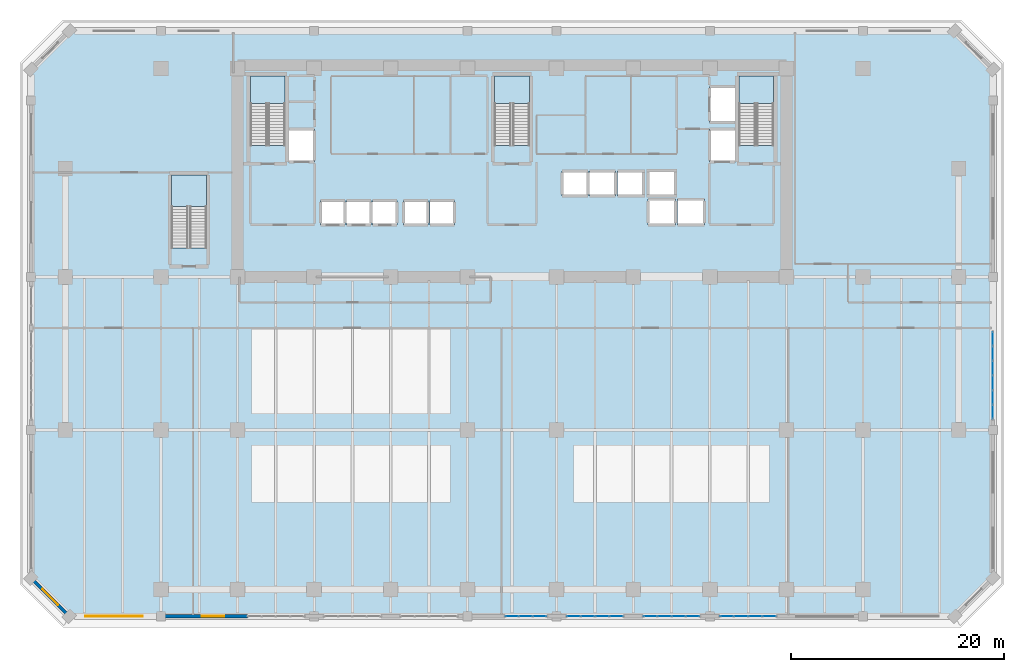
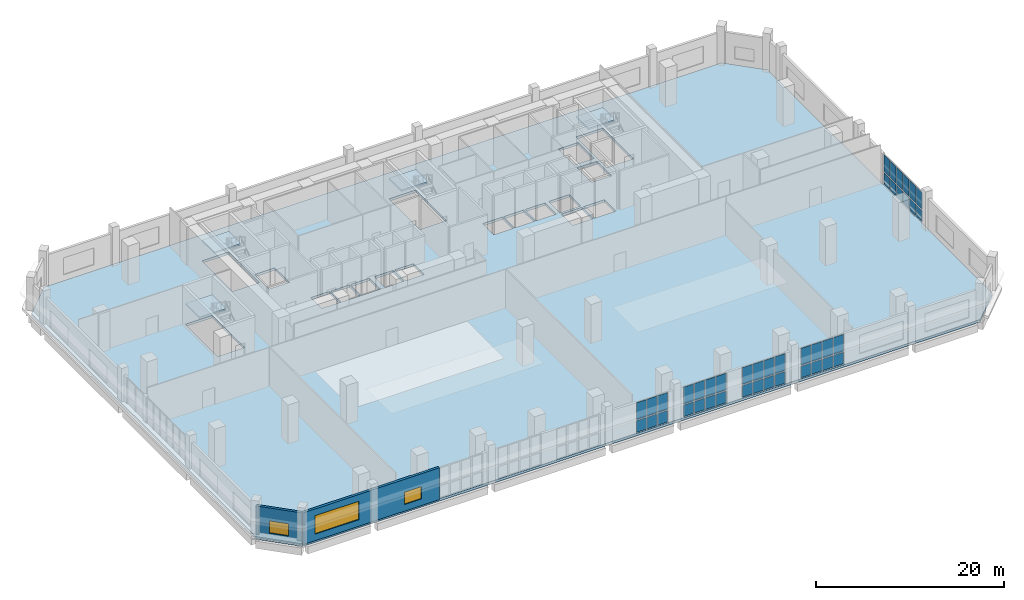
# One storey, part 17 of 25: 42 plates, 5 slabs, 3 windows, 2 walls, 3 openings, 9 elements without a shape of their own.
"""IFC4 building model written with IfcOpenShell, lengths in metres."""

from ifc_helpers import new_model, si_unit, direction, frame, frame_2d, origin, origin_2d, place, context, subcontext, project, spatial, polyline, rectangle, outline, extrude, material, layer, layer_set, type_object, element, fill, aggregate, save


model = new_model("IFC4")

# Units and contexts
model_context = context("Model", 3, precision=1e-05, world=origin(), true_north=direction((0.0, 1.0)))
body_context = subcontext(model_context, "Body", "Model", "MODEL_VIEW")
ifc_project = project(units=[si_unit("LENGTHUNIT", "METRE"), si_unit("AREAUNIT", "SQUARE_METRE"), si_unit("VOLUMEUNIT", "CUBIC_METRE"), si_unit("PLANEANGLEUNIT", "RADIAN"), si_unit("MASSUNIT", "GRAM", prefix="KILO")], contexts=[model_context])

# Site, building, storey
site_placement = place(None, origin())
site = spatial("IfcSite", under=ifc_project, at=site_placement, CompositionType="ELEMENT")
building_placement = place(site_placement, origin())
building = spatial("IfcBuilding", under=site, at=building_placement, Name="Kaelvorn Grand Hotel", CompositionType="ELEMENT")
storey_placement = place(building_placement, frame((0.0, 0.0, 14.0)))
storey = spatial("IfcBuildingStorey", under=building, at=storey_placement, Name="L02", CompositionType="ELEMENT", Elevation=14.0)

# Curtain wall, plates
ifc_material_1 = material(Name="Anodised Aluminium", Category="aluminium")
ifc_layer_1 = layer(ifc_material_1, 0.199951171875)
ifc_layer_set_1 = layer_set([ifc_layer_1], Name="Anodised Aluminium")
curtain_wall_type = type_object("IfcCurtainWallType", Name="CW-SYS2", PredefinedType="NOTDEFINED", material=ifc_layer_set_1)
curtain_wall_1_placement = place(storey_placement, origin())
curtain_wall_1 = element("IfcCurtainWall", 1, at=curtain_wall_1_placement, inside=storey, type_object=curtain_wall_type, Name="L02 Unitised Curtain Wall CW2 (CW-L02-S-04)", PredefinedType="NOTDEFINED")
ifc_material_2 = material(Name="Laminated Low-E Glass", Category="glass")
ifc_layer_2 = layer(ifc_material_2, 0.031982421875)
ifc_layer_set_2 = layer_set([ifc_layer_2], Name="Laminated Low-E Glass")
plate_type = type_object("IfcPlateType", Name="CW-SYS2-PAN", PredefinedType="CURTAIN_PANEL", material=ifc_layer_set_2)
plate_1_placement = place(storey_placement, frame((41.998779296875, -2.5, 0.14990234375), z_axis=(0.0, 0.0, 1.0), x_axis=(1.0, 0.0, 0.0)))
plate_1 = element("IfcPlate", 2, at=plate_1_placement, type_object=plate_type, Name="CW2 panel 1.1", PredefinedType="CURTAIN_PANEL", context=body_context, shape_type="SweptSolid", body=[
    extrude(rectangle(XDim=1.20751953125, YDim=0.031982421875, at=origin_2d()), origin(), (0.0, 0.0, 1.0), 1.509521484375),
])
plate_2_placement = place(storey_placement, frame((41.998779296875, -2.5, 1.8095703125), z_axis=(0.0, 0.0, 1.0), x_axis=(1.0, 0.0, 0.0)))
plate_2 = element("IfcPlate", 3, at=plate_2_placement, type_object=plate_type, Name="CW2 panel 1.2", PredefinedType="CURTAIN_PANEL", context=body_context, shape_type="SweptSolid", body=[
    extrude(rectangle(XDim=1.20751953125, YDim=0.031982421875, at=origin_2d()), origin(), (0.0, 0.0, 1.0), 2.17041015625),
])
plate_3_placement = place(storey_placement, frame((43.300048828125, -2.5, 0.14990234375), z_axis=(0.0, 0.0, 1.0), x_axis=(1.0, 0.0, 0.0)))
plate_3 = element("IfcPlate", 4, at=plate_3_placement, type_object=plate_type, Name="CW2 panel 2.1", PredefinedType="CURTAIN_PANEL", context=body_context, shape_type="SweptSolid", body=[
    extrude(rectangle(XDim=1.2451171875, YDim=0.031982421875, at=origin_2d()), origin(), (0.0, 0.0, 1.0), 1.509521484375),
])
plate_4_placement = place(storey_placement, frame((43.300048828125, -2.5, 1.8095703125), z_axis=(0.0, 0.0, 1.0), x_axis=(1.0, 0.0, 0.0)))
plate_4 = element("IfcPlate", 5, at=plate_4_placement, type_object=plate_type, Name="CW2 panel 2.2", PredefinedType="CURTAIN_PANEL", context=body_context, shape_type="SweptSolid", body=[
    extrude(rectangle(XDim=1.2451171875, YDim=0.031982421875, at=origin_2d()), origin(), (0.0, 0.0, 1.0), 2.17041015625),
])
plate_5_placement = place(storey_placement, frame((44.601318359375, -2.5, 0.14990234375), z_axis=(0.0, 0.0, 1.0), x_axis=(1.0, 0.0, 0.0)))
plate_5 = element("IfcPlate", 6, at=plate_5_placement, type_object=plate_type, Name="CW2 panel 3.1", PredefinedType="CURTAIN_PANEL", context=body_context, shape_type="SweptSolid", body=[
    extrude(rectangle(XDim=1.20751953125, YDim=0.031982421875, at=origin_2d()), origin(), (0.0, 0.0, 1.0), 1.509521484375),
])
plate_6_placement = place(storey_placement, frame((44.601318359375, -2.5, 1.8095703125), z_axis=(0.0, 0.0, 1.0), x_axis=(1.0, 0.0, 0.0)))
plate_6 = element("IfcPlate", 7, at=plate_6_placement, type_object=plate_type, Name="CW2 panel 3.2", PredefinedType="CURTAIN_PANEL", context=body_context, shape_type="SweptSolid", body=[
    extrude(rectangle(XDim=1.20751953125, YDim=0.031982421875, at=origin_2d()), origin(), (0.0, 0.0, 1.0), 2.17041015625),
])
aggregate(curtain_wall_1, [plate_1, plate_2, plate_3, plate_4, plate_5, plate_6])

curtain_wall_2_placement = place(storey_placement, origin())
curtain_wall_2 = element("IfcCurtainWall", 8, at=curtain_wall_2_placement, inside=storey, type_object=curtain_wall_type, Name="L02 Unitised Curtain Wall CW2 (CW-L02-S-05)", PredefinedType="NOTDEFINED")
plate_7_placement = place(storey_placement, frame((47.808837890625, -2.5, 0.14990234375), z_axis=(0.0, 0.0, 1.0), x_axis=(1.0, 0.0, 0.0)))
plate_7 = element("IfcPlate", 9, at=plate_7_placement, type_object=plate_type, Name="CW2 panel 1.1", PredefinedType="CURTAIN_PANEL", context=body_context, shape_type="SweptSolid", body=[
    extrude(rectangle(XDim=1.2275390625, YDim=0.031982421875, at=origin_2d()), origin(), (0.0, 0.0, 1.0), 1.509521484375),
])
plate_8_placement = place(storey_placement, frame((47.808837890625, -2.5, 1.8095703125), z_axis=(0.0, 0.0, 1.0), x_axis=(1.0, 0.0, 0.0)))
plate_8 = element("IfcPlate", 10, at=plate_8_placement, type_object=plate_type, Name="CW2 panel 1.2", PredefinedType="CURTAIN_PANEL", context=body_context, shape_type="SweptSolid", body=[
    extrude(rectangle(XDim=1.2275390625, YDim=0.031982421875, at=origin_2d()), origin(), (0.0, 0.0, 1.0), 2.17041015625),
])
plate_9_placement = place(storey_placement, frame((49.1298828125, -2.5, 0.14990234375), z_axis=(0.0, 0.0, 1.0), x_axis=(1.0, 0.0, 0.0)))
plate_9 = element("IfcPlate", 11, at=plate_9_placement, type_object=plate_type, Name="CW2 panel 2.1", PredefinedType="CURTAIN_PANEL", context=body_context, shape_type="SweptSolid", body=[
    extrude(rectangle(XDim=1.264892578125, YDim=0.031982421875, at=origin_2d()), origin(), (0.0, 0.0, 1.0), 1.509521484375),
])
plate_10_placement = place(storey_placement, frame((49.1298828125, -2.5, 1.8095703125), z_axis=(0.0, 0.0, 1.0), x_axis=(1.0, 0.0, 0.0)))
plate_10 = element("IfcPlate", 12, at=plate_10_placement, type_object=plate_type, Name="CW2 panel 2.2", PredefinedType="CURTAIN_PANEL", context=body_context, shape_type="SweptSolid", body=[
    extrude(rectangle(XDim=1.264892578125, YDim=0.031982421875, at=origin_2d()), origin(), (0.0, 0.0, 1.0), 2.17041015625),
])
plate_11_placement = place(storey_placement, frame((50.469970703125, -2.5, 0.14990234375), z_axis=(0.0, 0.0, 1.0), x_axis=(1.0, 0.0, 0.0)))
plate_11 = element("IfcPlate", 13, at=plate_11_placement, type_object=plate_type, Name="CW2 panel 3.1", PredefinedType="CURTAIN_PANEL", context=body_context, shape_type="SweptSolid", body=[
    extrude(rectangle(XDim=1.264892578125, YDim=0.031982421875, at=origin_2d()), origin(), (0.0, 0.0, 1.0), 1.509521484375),
])
plate_12_placement = place(storey_placement, frame((50.469970703125, -2.5, 1.8095703125), z_axis=(0.0, 0.0, 1.0), x_axis=(1.0, 0.0, 0.0)))
plate_12 = element("IfcPlate", 14, at=plate_12_placement, type_object=plate_type, Name="CW2 panel 3.2", PredefinedType="CURTAIN_PANEL", context=body_context, shape_type="SweptSolid", body=[
    extrude(rectangle(XDim=1.264892578125, YDim=0.031982421875, at=origin_2d()), origin(), (0.0, 0.0, 1.0), 2.17041015625),
])
plate_13_placement = place(storey_placement, frame((51.791259765625, -2.5, 0.14990234375), z_axis=(0.0, 0.0, 1.0), x_axis=(1.0, 0.0, 0.0)))
plate_13 = element("IfcPlate", 15, at=plate_13_placement, type_object=plate_type, Name="CW2 panel 4.1", PredefinedType="CURTAIN_PANEL", context=body_context, shape_type="SweptSolid", body=[
    extrude(rectangle(XDim=1.2275390625, YDim=0.031982421875, at=origin_2d()), origin(), (0.0, 0.0, 1.0), 1.509521484375),
])
plate_14_placement = place(storey_placement, frame((51.791259765625, -2.5, 1.8095703125), z_axis=(0.0, 0.0, 1.0), x_axis=(1.0, 0.0, 0.0)))
plate_14 = element("IfcPlate", 16, at=plate_14_placement, type_object=plate_type, Name="CW2 panel 4.2", PredefinedType="CURTAIN_PANEL", context=body_context, shape_type="SweptSolid", body=[
    extrude(rectangle(XDim=1.2275390625, YDim=0.031982421875, at=origin_2d()), origin(), (0.0, 0.0, 1.0), 2.17041015625),
])
aggregate(curtain_wall_2, [plate_7, plate_8, plate_9, plate_10, plate_11, plate_12, plate_13, plate_14])

curtain_wall_3_placement = place(storey_placement, origin())
curtain_wall_3 = element("IfcCurtainWall", 17, at=curtain_wall_3_placement, inside=storey, type_object=curtain_wall_type, Name="L02 Unitised Curtain Wall CW2 (CW-L02-S-06)", PredefinedType="NOTDEFINED")
plate_15_placement = place(storey_placement, frame((55.0087890625, -2.5, 0.14990234375), z_axis=(0.0, 0.0, 1.0), x_axis=(1.0, 0.0, 0.0)))
plate_15 = element("IfcPlate", 18, at=plate_15_placement, type_object=plate_type, Name="CW2 panel 1.1", PredefinedType="CURTAIN_PANEL", context=body_context, shape_type="SweptSolid", body=[
    extrude(rectangle(XDim=1.2275390625, YDim=0.031982421875, at=origin_2d()), origin(), (0.0, 0.0, 1.0), 1.509521484375),
])
plate_16_placement = place(storey_placement, frame((55.0087890625, -2.5, 1.8095703125), z_axis=(0.0, 0.0, 1.0), x_axis=(1.0, 0.0, 0.0)))
plate_16 = element("IfcPlate", 19, at=plate_16_placement, type_object=plate_type, Name="CW2 panel 1.2", PredefinedType="CURTAIN_PANEL", context=body_context, shape_type="SweptSolid", body=[
    extrude(rectangle(XDim=1.2275390625, YDim=0.031982421875, at=origin_2d()), origin(), (0.0, 0.0, 1.0), 2.17041015625),
])
plate_17_placement = place(storey_placement, frame((56.330078125, -2.5, 0.14990234375), z_axis=(0.0, 0.0, 1.0), x_axis=(1.0, 0.0, 0.0)))
plate_17 = element("IfcPlate", 20, at=plate_17_placement, type_object=plate_type, Name="CW2 panel 2.1", PredefinedType="CURTAIN_PANEL", context=body_context, shape_type="SweptSolid", body=[
    extrude(rectangle(XDim=1.264892578125, YDim=0.031982421875, at=origin_2d()), origin(), (0.0, 0.0, 1.0), 1.509521484375),
])
plate_18_placement = place(storey_placement, frame((56.330078125, -2.5, 1.8095703125), z_axis=(0.0, 0.0, 1.0), x_axis=(1.0, 0.0, 0.0)))
plate_18 = element("IfcPlate", 21, at=plate_18_placement, type_object=plate_type, Name="CW2 panel 2.2", PredefinedType="CURTAIN_PANEL", context=body_context, shape_type="SweptSolid", body=[
    extrude(rectangle(XDim=1.264892578125, YDim=0.031982421875, at=origin_2d()), origin(), (0.0, 0.0, 1.0), 2.17041015625),
])
plate_19_placement = place(storey_placement, frame((57.669921875, -2.5, 0.14990234375), z_axis=(0.0, 0.0, 1.0), x_axis=(1.0, 0.0, 0.0)))
plate_19 = element("IfcPlate", 22, at=plate_19_placement, type_object=plate_type, Name="CW2 panel 3.1", PredefinedType="CURTAIN_PANEL", context=body_context, shape_type="SweptSolid", body=[
    extrude(rectangle(XDim=1.264892578125, YDim=0.031982421875, at=origin_2d()), origin(), (0.0, 0.0, 1.0), 1.509521484375),
])
plate_20_placement = place(storey_placement, frame((57.669921875, -2.5, 1.8095703125), z_axis=(0.0, 0.0, 1.0), x_axis=(1.0, 0.0, 0.0)))
plate_20 = element("IfcPlate", 23, at=plate_20_placement, type_object=plate_type, Name="CW2 panel 3.2", PredefinedType="CURTAIN_PANEL", context=body_context, shape_type="SweptSolid", body=[
    extrude(rectangle(XDim=1.264892578125, YDim=0.031982421875, at=origin_2d()), origin(), (0.0, 0.0, 1.0), 2.17041015625),
])
plate_21_placement = place(storey_placement, frame((58.9912109375, -2.5, 0.14990234375), z_axis=(0.0, 0.0, 1.0), x_axis=(1.0, 0.0, 0.0)))
plate_21 = element("IfcPlate", 24, at=plate_21_placement, type_object=plate_type, Name="CW2 panel 4.1", PredefinedType="CURTAIN_PANEL", context=body_context, shape_type="SweptSolid", body=[
    extrude(rectangle(XDim=1.2275390625, YDim=0.031982421875, at=origin_2d()), origin(), (0.0, 0.0, 1.0), 1.509521484375),
])
plate_22_placement = place(storey_placement, frame((58.9912109375, -2.5, 1.8095703125), z_axis=(0.0, 0.0, 1.0), x_axis=(1.0, 0.0, 0.0)))
plate_22 = element("IfcPlate", 25, at=plate_22_placement, type_object=plate_type, Name="CW2 panel 4.2", PredefinedType="CURTAIN_PANEL", context=body_context, shape_type="SweptSolid", body=[
    extrude(rectangle(XDim=1.2275390625, YDim=0.031982421875, at=origin_2d()), origin(), (0.0, 0.0, 1.0), 2.17041015625),
])
aggregate(curtain_wall_3, [plate_15, plate_16, plate_17, plate_18, plate_19, plate_20, plate_21, plate_22])

curtain_wall_4_placement = place(storey_placement, origin())
curtain_wall_4 = element("IfcCurtainWall", 26, at=curtain_wall_4_placement, inside=storey, type_object=curtain_wall_type, Name="L02 Unitised Curtain Wall CW2 (CW-L02-S-07)", PredefinedType="NOTDEFINED")
plate_23_placement = place(storey_placement, frame((62.208740234375, -2.5, 0.14990234375), z_axis=(0.0, 0.0, 1.0), x_axis=(1.0, 0.0, 0.0)))
plate_23 = element("IfcPlate", 27, at=plate_23_placement, type_object=plate_type, Name="CW2 panel 1.1", PredefinedType="CURTAIN_PANEL", context=body_context, shape_type="SweptSolid", body=[
    extrude(rectangle(XDim=1.2275390625, YDim=0.031982421875, at=origin_2d()), origin(), (0.0, 0.0, 1.0), 1.509521484375),
])
plate_24_placement = place(storey_placement, frame((62.208740234375, -2.5, 1.8095703125), z_axis=(0.0, 0.0, 1.0), x_axis=(1.0, 0.0, 0.0)))
plate_24 = element("IfcPlate", 28, at=plate_24_placement, type_object=plate_type, Name="CW2 panel 1.2", PredefinedType="CURTAIN_PANEL", context=body_context, shape_type="SweptSolid", body=[
    extrude(rectangle(XDim=1.2275390625, YDim=0.031982421875, at=origin_2d()), origin(), (0.0, 0.0, 1.0), 2.17041015625),
])
plate_25_placement = place(storey_placement, frame((63.530029296875, -2.5, 0.14990234375), z_axis=(0.0, 0.0, 1.0), x_axis=(1.0, 0.0, 0.0)))
plate_25 = element("IfcPlate", 29, at=plate_25_placement, type_object=plate_type, Name="CW2 panel 2.1", PredefinedType="CURTAIN_PANEL", context=body_context, shape_type="SweptSolid", body=[
    extrude(rectangle(XDim=1.264892578125, YDim=0.031982421875, at=origin_2d()), origin(), (0.0, 0.0, 1.0), 1.509521484375),
])
plate_26_placement = place(storey_placement, frame((63.530029296875, -2.5, 1.8095703125), z_axis=(0.0, 0.0, 1.0), x_axis=(1.0, 0.0, 0.0)))
plate_26 = element("IfcPlate", 30, at=plate_26_placement, type_object=plate_type, Name="CW2 panel 2.2", PredefinedType="CURTAIN_PANEL", context=body_context, shape_type="SweptSolid", body=[
    extrude(rectangle(XDim=1.264892578125, YDim=0.031982421875, at=origin_2d()), origin(), (0.0, 0.0, 1.0), 2.17041015625),
])
plate_27_placement = place(storey_placement, frame((64.8701171875, -2.5, 0.14990234375), z_axis=(0.0, 0.0, 1.0), x_axis=(1.0, 0.0, 0.0)))
plate_27 = element("IfcPlate", 31, at=plate_27_placement, type_object=plate_type, Name="CW2 panel 3.1", PredefinedType="CURTAIN_PANEL", context=body_context, shape_type="SweptSolid", body=[
    extrude(rectangle(XDim=1.264892578125, YDim=0.031982421875, at=origin_2d()), origin(), (0.0, 0.0, 1.0), 1.509521484375),
])
plate_28_placement = place(storey_placement, frame((64.8701171875, -2.5, 1.8095703125), z_axis=(0.0, 0.0, 1.0), x_axis=(1.0, 0.0, 0.0)))
plate_28 = element("IfcPlate", 32, at=plate_28_placement, type_object=plate_type, Name="CW2 panel 3.2", PredefinedType="CURTAIN_PANEL", context=body_context, shape_type="SweptSolid", body=[
    extrude(rectangle(XDim=1.264892578125, YDim=0.031982421875, at=origin_2d()), origin(), (0.0, 0.0, 1.0), 2.17041015625),
])
plate_29_placement = place(storey_placement, frame((66.191162109375, -2.5, 0.14990234375), z_axis=(0.0, 0.0, 1.0), x_axis=(1.0, 0.0, 0.0)))
plate_29 = element("IfcPlate", 33, at=plate_29_placement, type_object=plate_type, Name="CW2 panel 4.1", PredefinedType="CURTAIN_PANEL", context=body_context, shape_type="SweptSolid", body=[
    extrude(rectangle(XDim=1.2275390625, YDim=0.031982421875, at=origin_2d()), origin(), (0.0, 0.0, 1.0), 1.509521484375),
])
plate_30_placement = place(storey_placement, frame((66.191162109375, -2.5, 1.8095703125), z_axis=(0.0, 0.0, 1.0), x_axis=(1.0, 0.0, 0.0)))
plate_30 = element("IfcPlate", 34, at=plate_30_placement, type_object=plate_type, Name="CW2 panel 4.2", PredefinedType="CURTAIN_PANEL", context=body_context, shape_type="SweptSolid", body=[
    extrude(rectangle(XDim=1.2275390625, YDim=0.031982421875, at=origin_2d()), origin(), (0.0, 0.0, 1.0), 2.17041015625),
])
aggregate(curtain_wall_4, [plate_23, plate_24, plate_25, plate_26, plate_27, plate_28, plate_29, plate_30])

curtain_wall_5_placement = place(storey_placement, origin())
curtain_wall_5 = element("IfcCurtainWall", 35, at=curtain_wall_5_placement, inside=storey, type_object=curtain_wall_type, Name="L02 Unitised Curtain Wall CW2 (CW-L02-E-01)", PredefinedType="NOTDEFINED")
plate_31_placement = place(storey_placement, frame((87.199951171875, 16.708740234375, 0.14990234375), z_axis=(0.0, 0.0, 1.0), x_axis=(0.0, 1.0, 0.0)))
plate_31 = element("IfcPlate", 36, at=plate_31_placement, type_object=plate_type, Name="CW2 panel 1.1", PredefinedType="CURTAIN_PANEL", context=body_context, shape_type="SweptSolid", body=[
    extrude(rectangle(XDim=1.267578125, YDim=0.031982421875, at=origin_2d()), origin(), (0.0, 0.0, 1.0), 1.509521484375),
])
plate_32_placement = place(storey_placement, frame((87.199951171875, 16.708740234375, 1.8095703125), z_axis=(0.0, 0.0, 1.0), x_axis=(0.0, 1.0, 0.0)))
plate_32 = element("IfcPlate", 37, at=plate_32_placement, type_object=plate_type, Name="CW2 panel 1.2", PredefinedType="CURTAIN_PANEL", context=body_context, shape_type="SweptSolid", body=[
    extrude(rectangle(XDim=1.267578125, YDim=0.031982421875, at=origin_2d()), origin(), (0.0, 0.0, 1.0), 2.17041015625),
])
plate_33_placement = place(storey_placement, frame((87.199951171875, 18.070068359375, 0.14990234375), z_axis=(0.0, 0.0, 1.0), x_axis=(0.0, 1.0, 0.0)))
plate_33 = element("IfcPlate", 38, at=plate_33_placement, type_object=plate_type, Name="CW2 panel 2.1", PredefinedType="CURTAIN_PANEL", context=body_context, shape_type="SweptSolid", body=[
    extrude(rectangle(XDim=1.304931640625, YDim=0.031982421875, at=origin_2d()), origin(), (0.0, 0.0, 1.0), 1.509521484375),
])
plate_34_placement = place(storey_placement, frame((87.199951171875, 18.070068359375, 1.8095703125), z_axis=(0.0, 0.0, 1.0), x_axis=(0.0, 1.0, 0.0)))
plate_34 = element("IfcPlate", 39, at=plate_34_placement, type_object=plate_type, Name="CW2 panel 2.2", PredefinedType="CURTAIN_PANEL", context=body_context, shape_type="SweptSolid", body=[
    extrude(rectangle(XDim=1.304931640625, YDim=0.031982421875, at=origin_2d()), origin(), (0.0, 0.0, 1.0), 2.17041015625),
])
plate_35_placement = place(storey_placement, frame((87.199951171875, 19.449951171875, 0.14990234375), z_axis=(0.0, 0.0, 1.0), x_axis=(0.0, 1.0, 0.0)))
plate_35 = element("IfcPlate", 40, at=plate_35_placement, type_object=plate_type, Name="CW2 panel 3.1", PredefinedType="CURTAIN_PANEL", context=body_context, shape_type="SweptSolid", body=[
    extrude(rectangle(XDim=1.304931640625, YDim=0.031982421875, at=origin_2d()), origin(), (0.0, 0.0, 1.0), 1.509521484375),
])
plate_36_placement = place(storey_placement, frame((87.199951171875, 19.449951171875, 1.8095703125), z_axis=(0.0, 0.0, 1.0), x_axis=(0.0, 1.0, 0.0)))
plate_36 = element("IfcPlate", 41, at=plate_36_placement, type_object=plate_type, Name="CW2 panel 3.2", PredefinedType="CURTAIN_PANEL", context=body_context, shape_type="SweptSolid", body=[
    extrude(rectangle(XDim=1.304931640625, YDim=0.031982421875, at=origin_2d()), origin(), (0.0, 0.0, 1.0), 2.17041015625),
])
plate_37_placement = place(storey_placement, frame((87.199951171875, 20.830078125, 0.14990234375), z_axis=(0.0, 0.0, 1.0), x_axis=(0.0, 1.0, 0.0)))
plate_37 = element("IfcPlate", 42, at=plate_37_placement, type_object=plate_type, Name="CW2 panel 4.1", PredefinedType="CURTAIN_PANEL", context=body_context, shape_type="SweptSolid", body=[
    extrude(rectangle(XDim=1.304931640625, YDim=0.031982421875, at=origin_2d()), origin(), (0.0, 0.0, 1.0), 1.509521484375),
])
plate_38_placement = place(storey_placement, frame((87.199951171875, 20.830078125, 1.8095703125), z_axis=(0.0, 0.0, 1.0), x_axis=(0.0, 1.0, 0.0)))
plate_38 = element("IfcPlate", 43, at=plate_38_placement, type_object=plate_type, Name="CW2 panel 4.2", PredefinedType="CURTAIN_PANEL", context=body_context, shape_type="SweptSolid", body=[
    extrude(rectangle(XDim=1.304931640625, YDim=0.031982421875, at=origin_2d()), origin(), (0.0, 0.0, 1.0), 2.17041015625),
])
plate_39_placement = place(storey_placement, frame((87.199951171875, 22.2099609375, 0.14990234375), z_axis=(0.0, 0.0, 1.0), x_axis=(0.0, 1.0, 0.0)))
plate_39 = element("IfcPlate", 44, at=plate_39_placement, type_object=plate_type, Name="CW2 panel 5.1", PredefinedType="CURTAIN_PANEL", context=body_context, shape_type="SweptSolid", body=[
    extrude(rectangle(XDim=1.304931640625, YDim=0.031982421875, at=origin_2d()), origin(), (0.0, 0.0, 1.0), 1.509521484375),
])
plate_40_placement = place(storey_placement, frame((87.199951171875, 22.2099609375, 1.8095703125), z_axis=(0.0, 0.0, 1.0), x_axis=(0.0, 1.0, 0.0)))
plate_40 = element("IfcPlate", 45, at=plate_40_placement, type_object=plate_type, Name="CW2 panel 5.2", PredefinedType="CURTAIN_PANEL", context=body_context, shape_type="SweptSolid", body=[
    extrude(rectangle(XDim=1.304931640625, YDim=0.031982421875, at=origin_2d()), origin(), (0.0, 0.0, 1.0), 2.17041015625),
])
plate_41_placement = place(storey_placement, frame((87.199951171875, 23.5712890625, 0.14990234375), z_axis=(0.0, 0.0, 1.0), x_axis=(0.0, 1.0, 0.0)))
plate_41 = element("IfcPlate", 46, at=plate_41_placement, type_object=plate_type, Name="CW2 panel 6.1", PredefinedType="CURTAIN_PANEL", context=body_context, shape_type="SweptSolid", body=[
    extrude(rectangle(XDim=1.267578125, YDim=0.031982421875, at=origin_2d()), origin(), (0.0, 0.0, 1.0), 1.509521484375),
])
plate_42_placement = place(storey_placement, frame((87.199951171875, 23.5712890625, 1.8095703125), z_axis=(0.0, 0.0, 1.0), x_axis=(0.0, 1.0, 0.0)))
plate_42 = element("IfcPlate", 47, at=plate_42_placement, type_object=plate_type, Name="CW2 panel 6.2", PredefinedType="CURTAIN_PANEL", context=body_context, shape_type="SweptSolid", body=[
    extrude(rectangle(XDim=1.267578125, YDim=0.031982421875, at=origin_2d()), origin(), (0.0, 0.0, 1.0), 2.17041015625),
])
aggregate(curtain_wall_5, [plate_31, plate_32, plate_33, plate_34, plate_35, plate_36, plate_37, plate_38, plate_39, plate_40, plate_41, plate_42])

# Slab
ifc_material_3 = material(Name="Concrete C40/50", Category="concrete")
ifc_layer_3 = layer(ifc_material_3, 0.320068359375)
ifc_layer_set_3 = layer_set([ifc_layer_3], Name="Concrete C40/50")
slab_type_1 = type_object("IfcSlabType", Name="SLB-FLR-320-C40", PredefinedType="FLOOR", material=ifc_layer_set_3)
slab_1_placement = place(storey_placement, frame((0.0, 0.0, -0.320068359375)))
element("IfcSlab", 48, at=slab_1_placement, inside=storey, type_object=slab_type_1, Name="L02 Indoor Suspended Floor Slab", PredefinedType="FLOOR", context=body_context, shape_type="SweptSolid", body=[
    extrude(outline(polyline([(0.39990234375, -2.5), (83.60009765625, -2.5), (87.199951171875, 1.10009765625), (87.199951171875, 48.89990234375), (83.60009765625, 52.5), (0.39990234375, 52.5), (-3.199951171875, 48.89990234375), (-3.199951171875, 1.10009765625), (0.39990234375, -2.5)]), holes=[polyline([(17.39990234375, 41.760009765625), (17.39990234375, 48.300048828125), (20.679931640625, 48.300048828125), (20.679931640625, 41.760009765625), (17.39990234375, 41.760009765625)]), polyline([(40.360107421875, 41.760009765625), (40.360107421875, 48.300048828125), (43.639892578125, 48.300048828125), (43.639892578125, 41.760009765625), (40.360107421875, 41.760009765625)]), polyline([(63.320068359375, 41.760009765625), (63.320068359375, 48.300048828125), (66.60009765625, 48.300048828125), (66.60009765625, 41.760009765625), (63.320068359375, 41.760009765625)]), polyline([(10.0, 32.110107421875), (10.0, 39.0), (13.280029296875, 39.0), (13.280029296875, 32.110107421875), (10.0, 32.110107421875)]), polyline([(24.0, 34.300048828125), (24.0, 36.60009765625), (26.300048828125, 36.60009765625), (26.300048828125, 34.300048828125), (24.0, 34.300048828125)]), polyline([(26.449951171875, 34.300048828125), (26.449951171875, 36.60009765625), (28.75, 36.60009765625), (28.75, 34.300048828125), (26.449951171875, 34.300048828125)]), polyline([(28.89990234375, 34.300048828125), (28.89990234375, 36.60009765625), (31.199951171875, 36.60009765625), (31.199951171875, 34.300048828125), (28.89990234375, 34.300048828125)]), polyline([(46.699951171875, 37.0), (46.699951171875, 39.35009765625), (49.14990234375, 39.35009765625), (49.14990234375, 37.0), (46.699951171875, 37.0)]), polyline([(49.300048828125, 37.0), (49.300048828125, 39.35009765625), (51.75, 39.35009765625), (51.75, 37.0), (49.300048828125, 37.0)]), polyline([(51.89990234375, 37.0), (51.89990234375, 39.35009765625), (54.35009765625, 39.35009765625), (54.35009765625, 37.0), (51.89990234375, 37.0)]), polyline([(54.800048828125, 34.300048828125), (54.800048828125, 36.699951171875), (57.35009765625, 36.699951171875), (57.35009765625, 34.300048828125), (54.800048828125, 34.300048828125)]), polyline([(57.550048828125, 34.300048828125), (57.550048828125, 36.699951171875), (60.10009765625, 36.699951171875), (60.10009765625, 34.300048828125), (57.550048828125, 34.300048828125)]), polyline([(54.800048828125, 37.0), (54.800048828125, 39.39990234375), (57.35009765625, 39.39990234375), (57.35009765625, 37.0), (54.800048828125, 37.0)]), polyline([(31.800048828125, 34.300048828125), (31.800048828125, 36.60009765625), (34.10009765625, 36.60009765625), (34.10009765625, 34.300048828125), (31.800048828125, 34.300048828125)]), polyline([(34.300048828125, 34.300048828125), (34.300048828125, 36.60009765625), (36.60009765625, 36.60009765625), (36.60009765625, 34.300048828125), (34.300048828125, 34.300048828125)]), polyline([(21.0, 40.199951171875), (21.0, 43.300048828125), (23.449951171875, 43.300048828125), (23.449951171875, 40.199951171875), (21.0, 40.199951171875)]), polyline([(60.550048828125, 40.199951171875), (60.550048828125, 43.300048828125), (63.0, 43.300048828125), (63.0, 40.199951171875), (60.550048828125, 40.199951171875)]), polyline([(60.550048828125, 43.89990234375), (60.550048828125, 47.300048828125), (63.0, 47.300048828125), (63.0, 43.89990234375), (60.550048828125, 43.89990234375)])]), origin(), (0.0, 0.0, 1.0), 0.320068359375),
])

# Stair, slab
stair_type = type_object("IfcStairType", Name="STR-DOG-1560-R04", PredefinedType="HALF_TURN_STAIR", material=ifc_material_3)
stair_1_placement = place(storey_placement, origin())
stair_1 = element("IfcStair", 49, at=stair_1_placement, inside=storey, type_object=stair_type, Name="L02 West Core Exit Stair ST1", PredefinedType="HALF_TURN_STAIR")
ifc_layer_4 = layer(ifc_material_3, 0.199951171875)
ifc_layer_set_4 = layer_set([ifc_layer_4], Name="Concrete C40/50")
slab_type_2 = type_object("IfcSlabType", Name="SLB-LAND-200-C40", PredefinedType="LANDING", material=ifc_layer_set_4)
slab_2_placement = place(storey_placement, frame((0.0, 0.0, 2.5)))
slab_2 = element("IfcSlab", 50, at=slab_2_placement, type_object=slab_type_2, Name="ST1 landing 1", PredefinedType="LANDING", context=body_context, shape_type="SweptSolid", body=[
    extrude(outline(polyline([(20.679931640625, 45.679931640625), (20.679931640625, 48.300048828125), (17.39990234375, 48.300048828125), (17.39990234375, 45.679931640625), (20.679931640625, 45.679931640625)])), origin(), (0.0, 0.0, 1.0), 0.199951171875),
])
aggregate(stair_1, [slab_2])

stair_2_placement = place(storey_placement, origin())
stair_2 = element("IfcStair", 51, at=stair_2_placement, inside=storey, type_object=stair_type, Name="L02 Central Core Exit Stair ST2", PredefinedType="HALF_TURN_STAIR")
slab_3_placement = place(storey_placement, frame((0.0, 0.0, 2.5)))
slab_3 = element("IfcSlab", 52, at=slab_3_placement, type_object=slab_type_2, Name="ST2 landing 1", PredefinedType="LANDING", context=body_context, shape_type="SweptSolid", body=[
    extrude(outline(polyline([(43.639892578125, 45.679931640625), (43.639892578125, 48.300048828125), (40.360107421875, 48.300048828125), (40.360107421875, 45.679931640625), (43.639892578125, 45.679931640625)])), origin(), (0.0, 0.0, 1.0), 0.199951171875),
])
aggregate(stair_2, [slab_3])

stair_3_placement = place(storey_placement, origin())
stair_3 = element("IfcStair", 53, at=stair_3_placement, inside=storey, type_object=stair_type, Name="L02 East Core Exit Stair ST3", PredefinedType="HALF_TURN_STAIR")
slab_4_placement = place(storey_placement, frame((0.0, 0.0, 2.5)))
slab_4 = element("IfcSlab", 54, at=slab_4_placement, type_object=slab_type_2, Name="ST3 landing 1", PredefinedType="LANDING", context=body_context, shape_type="SweptSolid", body=[
    extrude(outline(polyline([(66.60009765625, 45.679931640625), (66.60009765625, 48.300048828125), (63.320068359375, 48.300048828125), (63.320068359375, 45.679931640625), (66.60009765625, 45.679931640625)])), origin(), (0.0, 0.0, 1.0), 0.199951171875),
])
aggregate(stair_3, [slab_4])

stair_4_placement = place(storey_placement, origin())
stair_4 = element("IfcStair", 55, at=stair_4_placement, inside=storey, type_object=stair_type, Name="L02 Podium Grand Stair ST4", PredefinedType="HALF_TURN_STAIR")
slab_5_placement = place(storey_placement, frame((0.0, 0.0, 2.5)))
slab_5 = element("IfcSlab", 56, at=slab_5_placement, type_object=slab_type_2, Name="ST4 landing 1", PredefinedType="LANDING", context=body_context, shape_type="SweptSolid", body=[
    extrude(outline(polyline([(13.280029296875, 36.030029296875), (13.280029296875, 39.0), (10.0, 39.0), (10.0, 36.030029296875), (13.280029296875, 36.030029296875)])), origin(), (0.0, 0.0, 1.0), 0.199951171875),
])
aggregate(stair_4, [slab_5])

# Wall, openings, windows
ifc_layer_5 = layer(ifc_material_3, 0.300048828125)
ifc_layer_set_5 = layer_set([ifc_layer_5], Name="Concrete C40/50")
wall_type = type_object("IfcWallType", Name="WL-EXT-300-C40", PredefinedType="SOLIDWALL", material=ifc_layer_set_5)
wall_1_placement = place(storey_placement, frame((0.39990234375, -2.5, 0.0), z_axis=(0.0, 0.0, 1.0), x_axis=(1.0, 0.0, 0.0)))
wall_1 = element("IfcWall", 57, at=wall_1_placement, inside=storey, type_object=wall_type, Name="L02 Exterior Architectural Concrete Wall 01 Pier 1", PredefinedType="SOLIDWALL", context=body_context, shape_type="SweptSolid", body=[
    extrude(rectangle(XDim=16.72509765625, YDim=0.300048828125, at=frame_2d((8.362548828125, 0.0))), origin(), (0.0, 0.0, 1.0), 4.1298828125),
])
opening_1_placement = place(wall_1_placement, frame((1.47509765625, 0.0, 0.85009765625)))
opening_1 = element("IfcOpeningElement", 58, at=opening_1_placement, cuts=wall_1, Name="Opening W8", PredefinedType="OPENING", context=body_context, shape_type="SweptSolid", body=[
    extrude(rectangle(XDim=5.39990234375, YDim=2.39990234375, at=frame_2d((2.699951171875, 1.199951171875))), frame((0.0, 0.16015625, 0.0), z_axis=(0.0, -1.0, 0.0), x_axis=(1.0, 0.0, 0.0)), (0.0, 0.0, 1.0), 0.320068359375),
])
opening_2_placement = place(wall_1_placement, frame((12.449951171875, 0.0, 0.85009765625)))
opening_2 = element("IfcOpeningElement", 59, at=opening_2_placement, cuts=wall_1, Name="Opening W7", PredefinedType="OPENING", context=body_context, shape_type="SweptSolid", body=[
    extrude(rectangle(XDim=2.10009765625, YDim=1.60009765625, at=frame_2d((1.050048828125, 0.800048828125))), frame((0.0, 0.16015625, 0.0), z_axis=(0.0, -1.0, 0.0), x_axis=(1.0, 0.0, 0.0)), (0.0, 0.0, 1.0), 0.320068359375),
])
window_type_1 = type_object("IfcWindowType", Name="WIN-CHM-2100x1600", PartitioningType="SINGLE_PANEL", PredefinedType="WINDOW", material=ifc_material_2)
window_1_placement = place(opening_2_placement, origin())
window_1 = element("IfcWindow", 60, at=window_1_placement, inside=storey, type_object=window_type_1, Name="L02 Podium South Ribbon Window 2", OverallHeight=1.60009765625, OverallWidth=2.10009765625, PartitioningType="SINGLE_PANEL", PredefinedType="WINDOW", context=body_context, shape_type="SweptSolid", body=[
    extrude(rectangle(XDim=2.10009765625, YDim=1.60009765625, at=frame_2d((1.050048828125, 0.800048828125))), frame((0.0, 0.030029296875, 0.0), z_axis=(0.0, -1.0, 0.0), x_axis=(1.0, 0.0, 0.0)), (0.0, 0.0, 1.0), 0.06005859375),
])
fill(opening_2, window_1)
window_type_2 = type_object("IfcWindowType", Name="WIN-POD-5400x2400", PartitioningType="SINGLE_PANEL", PredefinedType="WINDOW", material=ifc_material_2)
window_2_placement = place(opening_1_placement, origin())
window_2 = element("IfcWindow", 61, at=window_2_placement, inside=storey, type_object=window_type_2, Name="L02 Podium South Ribbon Window 1", OverallHeight=2.39990234375, OverallWidth=5.39990234375, PartitioningType="SINGLE_PANEL", PredefinedType="WINDOW", context=body_context, shape_type="SweptSolid", body=[
    extrude(rectangle(XDim=5.39990234375, YDim=2.39990234375, at=frame_2d((2.699951171875, 1.199951171875))), frame((0.0, 0.030029296875, 0.0), z_axis=(0.0, -1.0, 0.0), x_axis=(1.0, 0.0, 0.0)), (0.0, 0.0, 1.0), 0.06005859375),
])
fill(opening_1, window_2)

# Wall, opening, window
wall_2_placement = place(storey_placement, frame((-3.199951171875, 1.10009765625, 0.0), z_axis=(0.0, 0.0, 1.0), x_axis=(0.707082803744, -0.707130757816, 0.0)))
wall_2 = element("IfcWall", 62, at=wall_2_placement, inside=storey, type_object=wall_type, Name="L02 Exterior Architectural Concrete Wall 08", PredefinedType="SOLIDWALL", context=body_context, shape_type="SweptSolid", body=[
    extrude(rectangle(XDim=5.091064453125, YDim=0.300048828125, at=frame_2d((2.54541015625, 0.0))), origin(), (0.0, 0.0, 1.0), 4.1298828125),
])
opening_3_placement = place(wall_2_placement, frame((1.49560546875, 0.0, 0.85009765625)))
opening_3 = element("IfcOpeningElement", 63, at=opening_3_placement, cuts=wall_2, Name="Opening W7", PredefinedType="OPENING", context=body_context, shape_type="SweptSolid", body=[
    extrude(rectangle(XDim=2.10009765625, YDim=1.60009765625, at=frame_2d((1.050048828125, 0.800048828125))), frame((0.0, 0.16015625, 0.0), z_axis=(0.0, -1.0, 0.0), x_axis=(1.0, 0.0, 0.0)), (0.0, 0.0, 1.0), 0.320068359375),
])
window_3_placement = place(opening_3_placement, origin())
window_3 = element("IfcWindow", 64, at=window_3_placement, inside=storey, type_object=window_type_1, Name="L02 Chamfered 45-Degree Corner Window SW", OverallHeight=1.60009765625, OverallWidth=2.10009765625, PartitioningType="SINGLE_PANEL", PredefinedType="WINDOW", context=body_context, shape_type="SweptSolid", body=[
    extrude(rectangle(XDim=2.10009765625, YDim=1.60009765625, at=frame_2d((1.050048828125, 0.800048828125))), frame((0.0, 0.030029296875, 0.0), z_axis=(0.0, -1.0, 0.0), x_axis=(1.0, 0.0, 0.0)), (0.0, 0.0, 1.0), 0.06005859375),
])
fill(opening_3, window_3)

save(model, "model.ifc")
